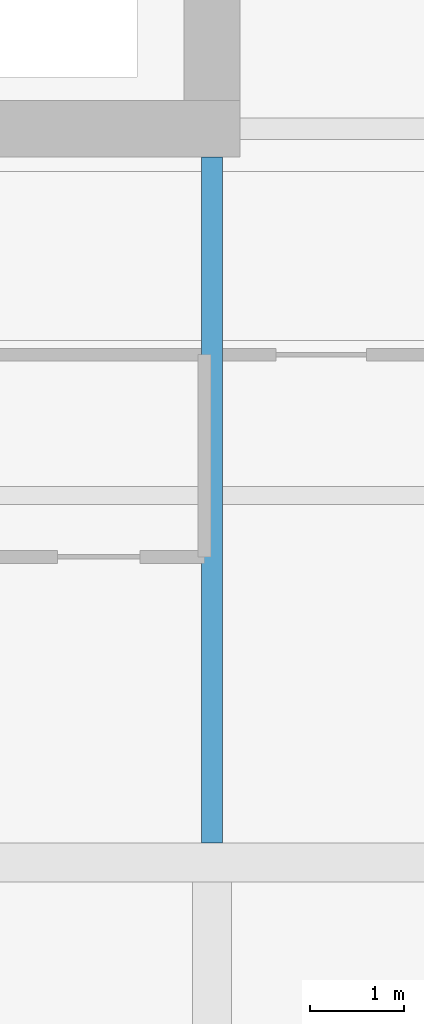
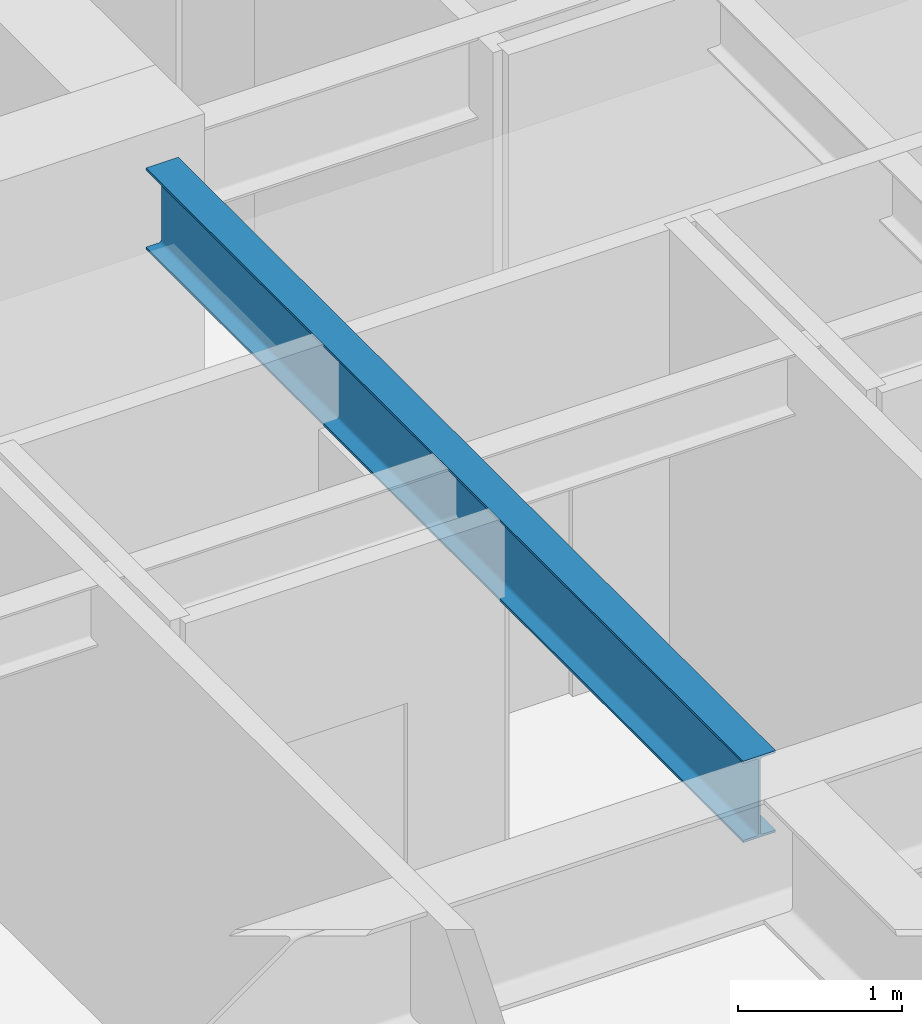
# One storey, part 12 of 39: 1 beam.
"""IFC4 building model written with IfcOpenShell, lengths in metres."""

import ifcopenshell
import ifcopenshell.guid

model = None  # the IFC model being written
_history = None  # IfcOwnerHistory: only IFC2X3 demands one
_inside = {}  # id of a spatial element -> (the spatial element, [elements in it])
_under = {}  # id of a project, library or spatial element -> (it, [spatial elements below it])
_declared = {}  # id of a project -> (the project, [libraries it declares])
_typed = {}  # id of a type object -> (the type object, [elements of that type])
_made_of = {}  # id of a material, layer set ... -> (it, [elements and type objects made of it])


def new_model(schema):
    """Start an empty IFC model of exactly this schema.

    Asked for "IFC4X3", IfcOpenShell would pick the latest addendum, in which some entities
    have other attributes; the version numbers below select the first issue.
    IFC2X3 requires an IfcOwnerHistory on every rooted entity: one is made here for all.
    """
    global model, _history
    if schema == "IFC4X3":
        model = ifcopenshell.file(schema_version=(4, 3, 0, 0))
    else:
        model = ifcopenshell.file(schema=schema)
    _inside.clear()
    _under.clear()
    _declared.clear()
    _typed.clear()
    _made_of.clear()
    _history = None
    if model.schema == "IFC2X3":
        org = make("IfcOrganization", Name="unknown")
        user = make(
            "IfcPersonAndOrganization",
            ThePerson=make("IfcPerson", FamilyName="unknown"),
            TheOrganization=org,
        )
        app = make(
            "IfcApplication",
            ApplicationDeveloper=org,
            Version="unknown",
            ApplicationFullName="unknown",
            ApplicationIdentifier="unknown",
        )
        _history = make(
            "IfcOwnerHistory",
            OwningUser=user,
            OwningApplication=app,
            ChangeAction="ADDED",
            CreationDate=0,
        )
    return model


def make(cls, **values):
    """One entity of the class cls with the attributes given. An attribute that is None is left unset."""
    return model.create_entity(
        cls, **{name: value for name, value in values.items() if value is not None}
    )


def rooted(cls, **values):
    """An entity with a GlobalId (a new one), such as an element, a storey or a relation."""
    return make(cls, GlobalId=ifcopenshell.guid.new(), OwnerHistory=_history, **values)


def si_unit(unit_type, name, prefix=None):
    """IfcSIUnit, for example si_unit("LENGTHUNIT", "METRE", prefix="MILLI")."""
    return make("IfcSIUnit", UnitType=unit_type, Prefix=prefix, Name=name)


def assignment(units):
    """IfcUnitAssignment: the units of a project."""
    return None if units is None else make("IfcUnitAssignment", Units=units)


def point(xyz):
    """IfcCartesianPoint."""
    return None if xyz is None else make("IfcCartesianPoint", Coordinates=xyz)


def direction(xyz):
    """IfcDirection."""
    return None if xyz is None else make("IfcDirection", DirectionRatios=xyz)


def frame(location, z_axis=None, x_axis=None):
    """IfcAxis2Placement3D, a coordinate frame: its origin and axes. An axis left out is left unset."""
    return make(
        "IfcAxis2Placement3D",
        Location=point(location),
        Axis=direction(z_axis),
        RefDirection=direction(x_axis),
    )


def frame_2d(location, x_axis=None):
    """IfcAxis2Placement2D, a coordinate frame in the plane: its origin and x axis."""
    return make(
        "IfcAxis2Placement2D", Location=point(location), RefDirection=direction(x_axis)
    )


def origin():
    """The frame at (0, 0, 0) with its axes left unset."""
    return frame((0.0, 0.0, 0.0))


def origin_2d():
    """The frame at (0, 0) in the plane with its x axis left unset."""
    return frame_2d((0.0, 0.0))


def place(relative_to, where):
    """IfcLocalPlacement: puts the frame where relative to a parent placement (None: the world)."""
    return make(
        "IfcLocalPlacement", PlacementRelTo=relative_to, RelativePlacement=where
    )


def context(
    kind, dimensions, precision=None, world=None, true_north=None, identifier=None
):
    """IfcGeometricRepresentationContext, for example the 3D "Model" context."""
    return make(
        "IfcGeometricRepresentationContext",
        ContextIdentifier=identifier,
        ContextType=kind,
        CoordinateSpaceDimension=dimensions,
        Precision=precision,
        WorldCoordinateSystem=world,
        TrueNorth=true_north,
    )


def subcontext(parent, identifier, kind, view, scale=None):
    """IfcGeometricRepresentationSubContext, for example "Body" below "Model"."""
    return make(
        "IfcGeometricRepresentationSubContext",
        ContextIdentifier=identifier,
        ContextType=kind,
        ParentContext=parent,
        TargetScale=scale,
        TargetView=view,
    )


def project(units=None, contexts=None):
    """IfcProject with its units and contexts."""
    return rooted(
        "IfcProject",
        Name="project",
        RepresentationContexts=contexts,
        UnitsInContext=assignment(units),
    )


def spatial(cls, under=None, at=None, **own):
    """A site, building, storey or space (cls), placed at a placement, below another one or the project."""
    s = rooted(cls, ObjectPlacement=at, **own)
    if under is not None:
        _under.setdefault(under.id(), (under, []))[1].append(s)
    return s


def profile(cls, at=None, kind="AREA", **sizes):
    """A parametric profile (cls). Its sizes go by their IFC names, for example OverallWidth=200.0."""
    return make(cls, ProfileType=kind, Position=at, **sizes)


def i_section(**sizes):
    """IfcIShapeProfileDef."""
    return profile("IfcIShapeProfileDef", **sizes)


def extrude(swept, where, along, depth):
    """IfcExtrudedAreaSolid: the profile swept, set in the frame where, extruded along a direction by depth."""
    return make(
        "IfcExtrudedAreaSolid",
        SweptArea=swept,
        Position=where,
        ExtrudedDirection=direction(along),
        Depth=depth,
    )


def shape(context_of_items, identifier, shape_type, items):
    """IfcShapeRepresentation: the items that make up one representation, for example the "Body"."""
    return make(
        "IfcShapeRepresentation",
        ContextOfItems=context_of_items,
        RepresentationIdentifier=identifier,
        RepresentationType=shape_type,
        Items=items,
    )


def material(Name=None, Category=None):
    """IfcMaterial."""
    return make("IfcMaterial", Name=Name, Category=Category)


def material_profile(
    of_material, cross_section, Name=None, Category=None, Priority=None
):
    """IfcMaterialProfile: a cross section and its material."""
    return make(
        "IfcMaterialProfile",
        Name=Name,
        Material=of_material,
        Profile=cross_section,
        Priority=Priority,
        Category=Category,
    )


def profile_set(profiles, Name=None, composite=None):
    """IfcMaterialProfileSet."""
    return make(
        "IfcMaterialProfileSet",
        Name=Name,
        MaterialProfiles=profiles,
        CompositeProfile=composite,
    )


def made_of(thing, what):
    """Note that an element or type object is made of a material, layer set ...; save() writes the relation."""
    if what is not None:
        _made_of.setdefault(what.id(), (what, []))[1].append(thing)
    return thing


def type_object(cls, material=None, **own):
    """A type object (cls), such as IfcWallType, which elements share."""
    return made_of(rooted(cls, **own), material)


def element(
    cls,
    number,
    at=None,
    inside=None,
    cuts=None,
    type_object=None,
    material=None,
    context=None,
    identifier="Body",
    shape_type=None,
    held_by="IfcProductDefinitionShape",
    body=None,
    shapes=None,
    **own,
):
    """One element of the class cls, such as IfcWall. Its Tag is "e" and its number.

    at: its placement. inside: the storey or other place that contains it. cuts: it is an
    opening in that element (IfcRelVoidsElement). A single representation is given by context,
    identifier, shape_type and body (its items); several are given by shapes. held_by: the class
    of the entity that holds the representations. save() writes the other relations.
    """
    e = rooted(cls, Tag="e%d" % number, ObjectPlacement=at, **own)
    if body is not None:
        shapes = [shape(context, identifier, shape_type, body)]
    if shapes is not None:
        e.Representation = make(held_by, Representations=shapes)
    if inside is not None:
        _inside.setdefault(inside.id(), (inside, []))[1].append(e)
    if cuts is not None:
        rooted(
            "IfcRelVoidsElement", RelatingBuildingElement=cuts, RelatedOpeningElement=e
        )
    if type_object is not None:
        _typed.setdefault(type_object.id(), (type_object, []))[1].append(e)
    return made_of(e, material)


def aggregate(whole, parts):
    """IfcRelAggregates: a whole, such as a stair, and the parts it consists of."""
    return rooted("IfcRelAggregates", RelatingObject=whole, RelatedObjects=parts)


def save(model, path):
    """Write the relations noted so far, then the file.

    IfcRelAggregates (storeys below a building ...), IfcRelContainedInSpatialStructure (elements
    in a storey), IfcRelDefinesByType, IfcRelAssociatesMaterial and IfcRelDeclares: one each for
    every whole, place, type object, material and project.
    """
    for whole, parts in _under.values():
        aggregate(whole, parts)
    for where, things in _inside.values():
        rooted(
            "IfcRelContainedInSpatialStructure",
            RelatedElements=things,
            RelatingStructure=where,
        )
    for kind, things in _typed.values():
        rooted("IfcRelDefinesByType", RelatedObjects=things, RelatingType=kind)
    for what, things in _made_of.values():
        rooted("IfcRelAssociatesMaterial", RelatedObjects=things, RelatingMaterial=what)
    for by, libraries in _declared.values():
        rooted("IfcRelDeclares", RelatingContext=by, RelatedDefinitions=libraries)
    model.write(path)


model = new_model("IFC4")

# Units and contexts
model_context = context("Model", 3, precision=1e-05, world=origin(), true_north=direction((0.0, 1.0)))
body_context = subcontext(model_context, "Body", "Model", "MODEL_VIEW")
ifc_project = project(units=[si_unit("LENGTHUNIT", "METRE"), si_unit("AREAUNIT", "SQUARE_METRE"), si_unit("VOLUMEUNIT", "CUBIC_METRE"), si_unit("PLANEANGLEUNIT", "RADIAN"), si_unit("MASSUNIT", "GRAM", prefix="KILO")], contexts=[model_context])

# Site, building, storey
site_placement = place(None, origin())
site = spatial("IfcSite", under=ifc_project, at=site_placement, CompositionType="ELEMENT")
building_placement = place(site_placement, origin())
building = spatial("IfcBuilding", under=site, at=building_placement, Name="Drelvath Grand Hotel", CompositionType="ELEMENT")
storey_placement = place(building_placement, frame((0.0, 0.0, 40.199951171875)))
storey = spatial("IfcBuildingStorey", under=building, at=storey_placement, Name="L08", CompositionType="ELEMENT", Elevation=40.199951171875)

# Beam
ifc_material = material(Name="Steel ASTM A992 Gr 50", Category="steel")
ifc_material_profile = material_profile(ifc_material, i_section(OverallWidth=0.228271484375, OverallDepth=0.607666015625, WebThickness=0.01123046875, FlangeThickness=0.017333984375, FilletRadius=0.02001953125, at=origin_2d()), Name="W24X76")
ifc_profile_set = profile_set([ifc_material_profile], Name="Steel ASTM A992 Gr 50")
beam_type = type_object("IfcBeamType", Name="Primary Floor Girder W24X76", PredefinedType="BEAM", material=ifc_profile_set)
beam_placement = place(storey_placement, frame((8.39990234375, 11.00927734375, 2.936279296875), z_axis=(0.0, 1.0, 0.0), x_axis=(-1.0, 0.0, 0.0)))
element("IfcBeam", 1, at=beam_placement, inside=storey, type_object=beam_type, Name="L08 South Core Tie 6", PredefinedType="BEAM", context=body_context, shape_type="SweptSolid", body=[
    extrude(i_section(OverallWidth=0.228271484375, OverallDepth=0.607666015625, WebThickness=0.01123046875, FlangeThickness=0.017333984375, FilletRadius=0.02001953125, at=origin_2d()), origin(), (0.0, 0.0, 1.0), 7.290771484375),
])

save(model, "model.ifc")
